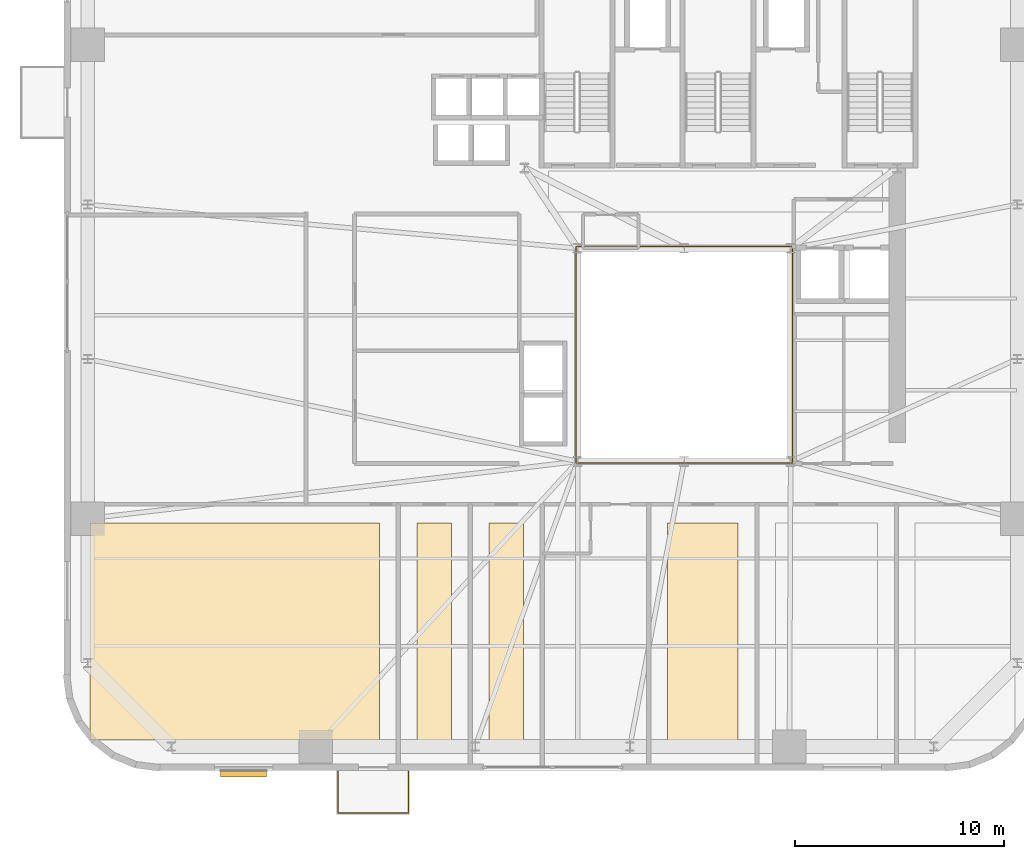
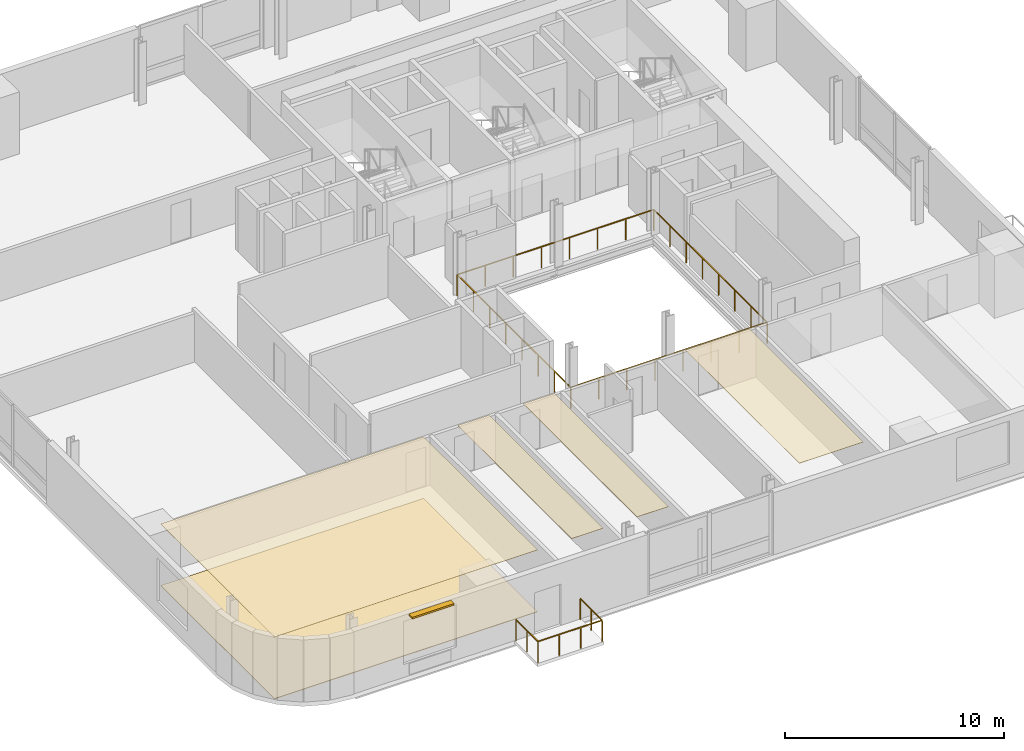
# One storey, part 10 of 14: 5 coverings, 2 railings, 1 shading device.
"""IFC4 building model written with IfcOpenShell, lengths in metres."""

from ifc_helpers import new_model, si_unit, direction, frame, origin, origin_2d, place, context, subcontext, project, spatial, polyline, rectangle, outline, extrude, source, transform, mapped, material, layer, layer_set, type_object, element, save


model = new_model("IFC4")

# Units and contexts
model_context = context("Model", 3, precision=1e-05, world=origin(), true_north=direction((0.0, 1.0)))
body_context = subcontext(model_context, "Body", "Model", "MODEL_VIEW")
ifc_project = project(units=[si_unit("LENGTHUNIT", "METRE"), si_unit("AREAUNIT", "SQUARE_METRE"), si_unit("VOLUMEUNIT", "CUBIC_METRE"), si_unit("PLANEANGLEUNIT", "RADIAN"), si_unit("MASSUNIT", "GRAM", prefix="KILO")], contexts=[model_context])

# Site, building, storey
site_placement = place(None, origin())
site = spatial("IfcSite", under=ifc_project, at=site_placement, CompositionType="ELEMENT")
building_placement = place(site_placement, origin())
building = spatial("IfcBuilding", under=site, at=building_placement, Name="Vardaveli Station Tower", CompositionType="ELEMENT")
storey_placement = place(building_placement, frame((0.0, 0.0, 111.300048828125)))
storey = spatial("IfcBuildingStorey", under=building, at=storey_placement, Name="L28", CompositionType="ELEMENT", Elevation=111.300048828125)

# Coverings
ifc_material_1 = material(Name="Perforated acoustic mineral ceiling")
ifc_layer_1 = layer(ifc_material_1, 0.02001953125, Name="Perforated acoustic mineral ceiling")
ifc_layer_set_1 = layer_set([ifc_layer_1], Name="Perforated acoustic mineral ceiling")
covering_type_1 = type_object("IfcCoveringType", Name="COV-CEIL-AC20", PredefinedType="CEILING", material=ifc_layer_set_1)
covering_1_placement = place(storey_placement, frame((0.0, 0.0, 3.445068359375)))
element("IfcCovering", 1, at=covering_1_placement, inside=storey, type_object=covering_type_1, Name="CEIL-L28-1", PredefinedType="CEILING", context=body_context, shape_type="SweptSolid", body=[
    extrude(outline(polyline([(7.85009765625, 3.25), (21.71044921875, 3.25), (21.71044921875, 13.64990234375), (7.85009765625, 13.64990234375), (7.85009765625, 3.25)])), origin(), (0.0, 0.0, 1.0), 0.019775390625),
])
covering_2_placement = place(storey_placement, frame((0.0, 0.0, 3.445068359375)))
element("IfcCovering", 2, at=covering_2_placement, inside=storey, type_object=covering_type_1, Name="CEIL-L28-2", PredefinedType="CEILING", context=body_context, shape_type="SweptSolid", body=[
    extrude(outline(polyline([(23.510498046875, 3.25), (25.160400390625, 3.25), (25.160400390625, 13.64990234375), (23.510498046875, 13.64990234375), (23.510498046875, 3.25)])), origin(), (0.0, 0.0, 1.0), 0.019775390625),
])
covering_3_placement = place(storey_placement, frame((0.0, 0.0, 3.445068359375)))
element("IfcCovering", 3, at=covering_3_placement, inside=storey, type_object=covering_type_1, Name="CEIL-L28-3", PredefinedType="CEILING", context=body_context, shape_type="SweptSolid", body=[
    extrude(outline(polyline([(26.96044921875, 3.25), (28.6103515625, 3.25), (28.6103515625, 13.64990234375), (26.96044921875, 13.64990234375), (26.96044921875, 3.25)])), origin(), (0.0, 0.0, 1.0), 0.019775390625),
])
covering_4_placement = place(storey_placement, frame((0.0, 0.0, 3.445068359375)))
element("IfcCovering", 4, at=covering_4_placement, inside=storey, type_object=covering_type_1, Name="CEIL-L28-4", PredefinedType="CEILING", context=body_context, shape_type="SweptSolid", body=[
    extrude(outline(polyline([(35.506591796875, 3.25), (38.885498046875, 3.25), (38.885498046875, 13.64990234375), (35.506591796875, 13.64990234375), (35.506591796875, 3.25)])), origin(), (0.0, 0.0, 1.0), 0.019775390625),
])
ifc_material_2 = material(Name="Honed Caucasian basalt and travertine flooring", Category="masonry")
ifc_layer_2 = layer(ifc_material_2, 0.030029296875, Name="Honed Caucasian basalt and travertine flooring")
ifc_layer_set_2 = layer_set([ifc_layer_2], Name="Honed Caucasian basalt and travertine flooring")
covering_type_2 = type_object("IfcCoveringType", Name="COV-FLOOR-ST30", PredefinedType="FLOORING", material=ifc_layer_set_2)
covering_5_placement = place(storey_placement, origin())
element("IfcCovering", 5, at=covering_5_placement, inside=storey, type_object=covering_type_2, Name="FLR-L28-1", PredefinedType="FLOORING", context=body_context, shape_type="SweptSolid", body=[
    extrude(outline(polyline([(7.85009765625, 3.25), (21.71044921875, 3.25), (21.71044921875, 13.64990234375), (7.85009765625, 13.64990234375), (7.85009765625, 3.25)])), origin(), (0.0, 0.0, 1.0), 0.030029296875),
])

# Railing
ifc_material_3 = material(Name="Laminated glass and stainless steel balustrade", Category="steel")
railing_type = type_object("IfcRailingType", Name="RL-BAL-1200", PredefinedType="BALUSTRADE", material=ifc_material_3)
shared_shape_1 = source(origin(), body_context, "Body", "SweptSolid", [
    extrude(rectangle(XDim=0.048095703125, YDim=0.048095703125, at=origin_2d()), frame((0.0, 0.0, 1.17578125), z_axis=(0.0, -1.0, 0.0), x_axis=(1.0, 0.0, 0.0)), (0.0, 0.0, 1.0), 2.0),
    extrude(rectangle(XDim=0.048095703125, YDim=0.048095703125, at=origin_2d()), frame((0.0, -2.0, 1.17578125), z_axis=(1.0, 0.0, 0.0), x_axis=(0.0, 1.0, 0.0)), (0.0, 0.0, 1.0), 3.3798828125),
    extrude(rectangle(XDim=0.048095703125, YDim=0.048095703125, at=origin_2d()), frame((3.3798828125, -2.0, 1.17578125), z_axis=(0.0, 1.0, 0.0), x_axis=(-1.0, 0.0, 0.0)), (0.0, 0.0, 1.0), 2.0),
    extrude(rectangle(XDim=0.0419921875, YDim=0.0419921875, at=origin_2d()), origin(), (0.0, 0.0, 1.0), 1.15185546875),
    extrude(rectangle(XDim=0.0419921875, YDim=0.0419921875, at=origin_2d()), frame((0.0, -1.0, 0.0)), (0.0, 0.0, 1.0), 1.15185546875),
    extrude(rectangle(XDim=0.0419921875, YDim=0.0419921875, at=origin_2d()), frame((0.0, -2.0, 0.0)), (0.0, 0.0, 1.0), 1.15185546875),
    extrude(rectangle(XDim=0.0419921875, YDim=0.0419921875, at=origin_2d()), frame((1.126708984375, -2.0, 0.0)), (0.0, 0.0, 1.0), 1.15185546875),
    extrude(rectangle(XDim=0.0419921875, YDim=0.0419921875, at=origin_2d()), frame((2.253173828125, -2.0, 0.0)), (0.0, 0.0, 1.0), 1.15185546875),
    extrude(rectangle(XDim=0.0419921875, YDim=0.0419921875, at=origin_2d()), frame((3.3798828125, -2.0, 0.0)), (0.0, 0.0, 1.0), 1.15185546875),
    extrude(rectangle(XDim=0.0419921875, YDim=0.0419921875, at=origin_2d()), frame((3.3798828125, -1.0, 0.0)), (0.0, 0.0, 1.0), 1.15185546875),
    extrude(rectangle(XDim=0.0419921875, YDim=0.0419921875, at=origin_2d()), frame((3.3798828125, 0.0, 0.0)), (0.0, 0.0, 1.0), 1.15185546875),
])
railing_1_placement = place(storey_placement, frame((19.720458984375, 1.760009765625, 0.0)))
element("IfcRailing", 6, at=railing_1_placement, inside=storey, type_object=railing_type, Name="RL-LOG-L28-01", PredefinedType="BALUSTRADE", context=body_context, shape_type="MappedRepresentation", body=[
    mapped(shared_shape_1, transform((0.0, 0.0, 0.0), scale=1.0)),
])

# Shading device
ifc_material_4 = material(Name="Anodised champagne aluminium sunshade", Category="aluminium")
ifc_layer_3 = layer(ifc_material_4, 0.090087890625, Name="Anodised champagne aluminium sunshade")
ifc_layer_set_3 = layer_set([ifc_layer_3], Name="Anodised champagne aluminium sunshade")
shading_device_type = type_object("IfcShadingDeviceType", Name="SHD-SUNSHADE", PredefinedType="USERDEFINED", material=ifc_layer_set_3)
shared_shape_2 = source(origin(), body_context, "Body", "SweptSolid", [
    extrude(rectangle(XDim=2.199951171875, YDim=0.320068359375, at=origin_2d()), origin(), (0.0, 0.0, 1.0), 0.090087890625),
])
shading_device_placement = place(storey_placement, frame((15.205078125, 1.655029296875, 3.33984375), z_axis=(0.0, 0.0, 1.0), x_axis=(1.0, 0.0, 0.0)))
element("IfcShadingDevice", 7, at=shading_device_placement, inside=storey, type_object=shading_device_type, Name="SHD-SS-L28-S", ObjectType="SUNSHADE", PredefinedType="USERDEFINED", context=body_context, shape_type="MappedRepresentation", body=[
    mapped(shared_shape_2, transform((0.0, 0.0, 0.0), scale=1.0)),
])

# Railing
shared_shape_3 = source(origin(), body_context, "Body", "SweptSolid", [
    extrude(rectangle(XDim=0.048095703125, YDim=0.048095703125, at=origin_2d()), frame((0.0, 0.0, 1.17578125), z_axis=(1.0, 0.0, 0.0), x_axis=(0.0, 1.0, 0.0)), (0.0, 0.0, 1.0), 10.35986328125),
    extrude(rectangle(XDim=0.048095703125, YDim=0.048095703125, at=origin_2d()), frame((10.35986328125, 0.0, 1.17578125), z_axis=(0.0, 1.0, 0.0), x_axis=(-1.0, 0.0, 0.0)), (0.0, 0.0, 1.0), 10.35986328125),
    extrude(rectangle(XDim=0.048095703125, YDim=0.048095703125, at=origin_2d()), frame((10.35986328125, 10.35986328125, 1.17578125), z_axis=(-1.0, 0.0, 0.0), x_axis=(0.0, -1.0, 0.0)), (0.0, 0.0, 1.0), 10.35986328125),
    extrude(rectangle(XDim=0.048095703125, YDim=0.048095703125, at=origin_2d()), frame((0.0, 10.35986328125, 1.17578125), z_axis=(0.0, -1.0, 0.0), x_axis=(1.0, 0.0, 0.0)), (0.0, 0.0, 1.0), 10.35986328125),
    extrude(rectangle(XDim=0.0419921875, YDim=0.0419921875, at=origin_2d()), origin(), (0.0, 0.0, 1.0), 1.15185546875),
    extrude(rectangle(XDim=0.0419921875, YDim=0.0419921875, at=origin_2d()), frame((1.47998046875, 0.0, 0.0)), (0.0, 0.0, 1.0), 1.15185546875),
    extrude(rectangle(XDim=0.0419921875, YDim=0.0419921875, at=origin_2d()), frame((2.9599609375, 0.0, 0.0)), (0.0, 0.0, 1.0), 1.15185546875),
    extrude(rectangle(XDim=0.0419921875, YDim=0.0419921875, at=origin_2d()), frame((4.43994140625, 0.0, 0.0)), (0.0, 0.0, 1.0), 1.15185546875),
    extrude(rectangle(XDim=0.0419921875, YDim=0.0419921875, at=origin_2d()), frame((5.919921875, 0.0, 0.0)), (0.0, 0.0, 1.0), 1.15185546875),
    extrude(rectangle(XDim=0.0419921875, YDim=0.0419921875, at=origin_2d()), frame((7.39990234375, 0.0, 0.0)), (0.0, 0.0, 1.0), 1.15185546875),
    extrude(rectangle(XDim=0.0419921875, YDim=0.0419921875, at=origin_2d()), frame((8.8798828125, 0.0, 0.0)), (0.0, 0.0, 1.0), 1.15185546875),
    extrude(rectangle(XDim=0.0419921875, YDim=0.0419921875, at=origin_2d()), frame((10.35986328125, 0.0, 0.0)), (0.0, 0.0, 1.0), 1.15185546875),
    extrude(rectangle(XDim=0.0419921875, YDim=0.0419921875, at=origin_2d()), frame((10.35986328125, 1.47998046875, 0.0)), (0.0, 0.0, 1.0), 1.15185546875),
    extrude(rectangle(XDim=0.0419921875, YDim=0.0419921875, at=origin_2d()), frame((10.35986328125, 2.9599609375, 0.0)), (0.0, 0.0, 1.0), 1.15185546875),
    extrude(rectangle(XDim=0.0419921875, YDim=0.0419921875, at=origin_2d()), frame((10.35986328125, 4.43994140625, 0.0)), (0.0, 0.0, 1.0), 1.15185546875),
    extrude(rectangle(XDim=0.0419921875, YDim=0.0419921875, at=origin_2d()), frame((10.35986328125, 5.919921875, 0.0)), (0.0, 0.0, 1.0), 1.15185546875),
    extrude(rectangle(XDim=0.0419921875, YDim=0.0419921875, at=origin_2d()), frame((10.35986328125, 7.39990234375, 0.0)), (0.0, 0.0, 1.0), 1.15185546875),
    extrude(rectangle(XDim=0.0419921875, YDim=0.0419921875, at=origin_2d()), frame((10.35986328125, 8.8798828125, 0.0)), (0.0, 0.0, 1.0), 1.15185546875),
    extrude(rectangle(XDim=0.0419921875, YDim=0.0419921875, at=origin_2d()), frame((10.35986328125, 10.35986328125, 0.0)), (0.0, 0.0, 1.0), 1.15185546875),
    extrude(rectangle(XDim=0.0419921875, YDim=0.0419921875, at=origin_2d()), frame((8.8798828125, 10.35986328125, 0.0)), (0.0, 0.0, 1.0), 1.15185546875),
    extrude(rectangle(XDim=0.0419921875, YDim=0.0419921875, at=origin_2d()), frame((7.39990234375, 10.35986328125, 0.0)), (0.0, 0.0, 1.0), 1.15185546875),
    extrude(rectangle(XDim=0.0419921875, YDim=0.0419921875, at=origin_2d()), frame((5.919921875, 10.35986328125, 0.0)), (0.0, 0.0, 1.0), 1.15185546875),
    extrude(rectangle(XDim=0.0419921875, YDim=0.0419921875, at=origin_2d()), frame((4.43994140625, 10.35986328125, 0.0)), (0.0, 0.0, 1.0), 1.15185546875),
    extrude(rectangle(XDim=0.0419921875, YDim=0.0419921875, at=origin_2d()), frame((2.9599609375, 10.35986328125, 0.0)), (0.0, 0.0, 1.0), 1.15185546875),
    extrude(rectangle(XDim=0.0419921875, YDim=0.0419921875, at=origin_2d()), frame((1.47998046875, 10.35986328125, 0.0)), (0.0, 0.0, 1.0), 1.15185546875),
    extrude(rectangle(XDim=0.0419921875, YDim=0.0419921875, at=origin_2d()), frame((0.0, 10.35986328125, 0.0)), (0.0, 0.0, 1.0), 1.15185546875),
    extrude(rectangle(XDim=0.0419921875, YDim=0.0419921875, at=origin_2d()), frame((0.0, 8.8798828125, 0.0)), (0.0, 0.0, 1.0), 1.15185546875),
    extrude(rectangle(XDim=0.0419921875, YDim=0.0419921875, at=origin_2d()), frame((0.0, 7.39990234375, 0.0)), (0.0, 0.0, 1.0), 1.15185546875),
    extrude(rectangle(XDim=0.0419921875, YDim=0.0419921875, at=origin_2d()), frame((0.0, 5.919921875, 0.0)), (0.0, 0.0, 1.0), 1.15185546875),
    extrude(rectangle(XDim=0.0419921875, YDim=0.0419921875, at=origin_2d()), frame((0.0, 4.43994140625, 0.0)), (0.0, 0.0, 1.0), 1.15185546875),
    extrude(rectangle(XDim=0.0419921875, YDim=0.0419921875, at=origin_2d()), frame((0.0, 2.9599609375, 0.0)), (0.0, 0.0, 1.0), 1.15185546875),
    extrude(rectangle(XDim=0.0419921875, YDim=0.0419921875, at=origin_2d()), frame((0.0, 1.47998046875, 0.0)), (0.0, 0.0, 1.0), 1.15185546875),
])
railing_2_placement = place(storey_placement, frame((31.1201171875, 16.52001953125, 0.0)))
element("IfcRailing", 8, at=railing_2_placement, inside=storey, type_object=railing_type, Name="RL-ATR-L28", PredefinedType="BALUSTRADE", context=body_context, shape_type="MappedRepresentation", body=[
    mapped(shared_shape_3, transform((0.0, 0.0, 0.0), scale=1.0)),
])

save(model, "model.ifc")
